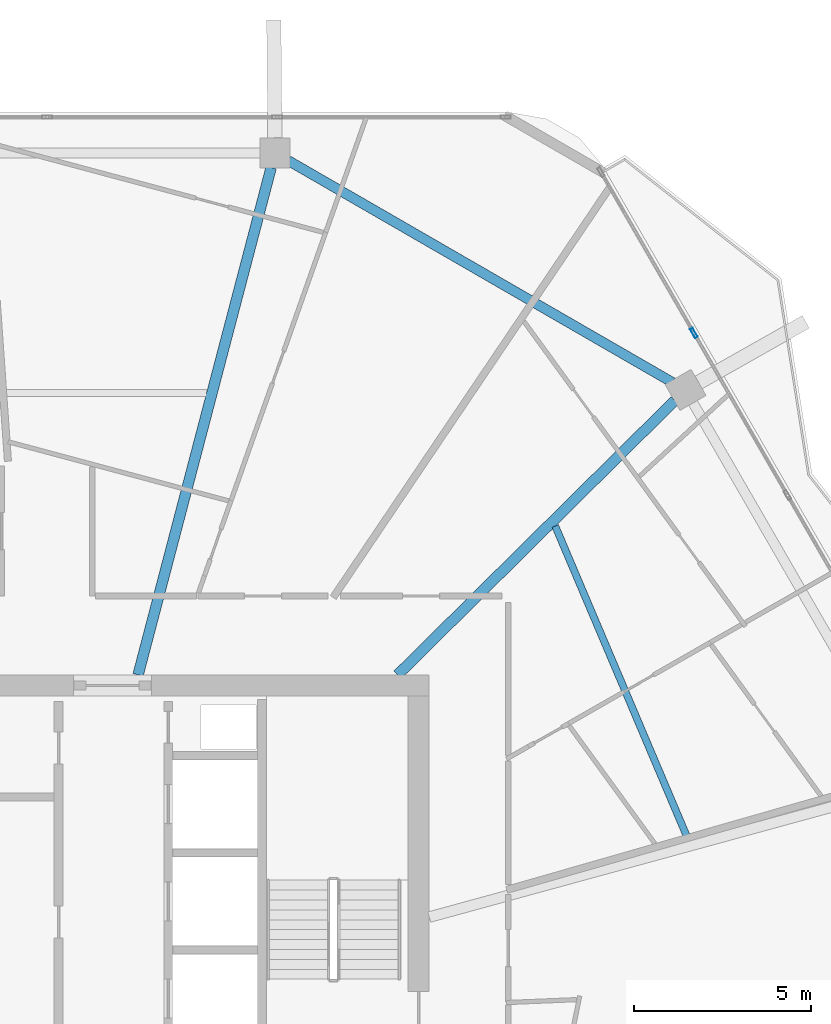
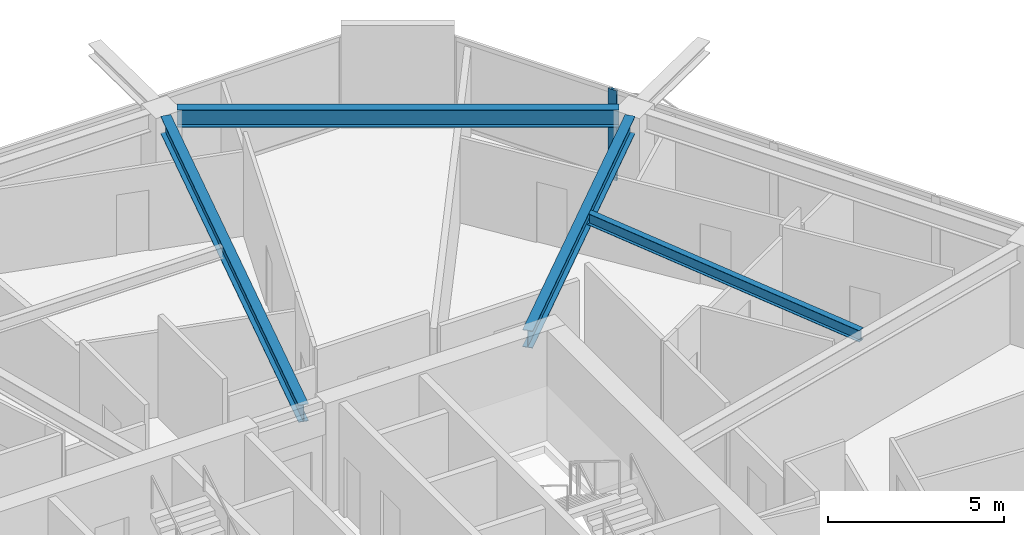
# One storey, part 14 of 26: 4 beams, 1 member, 1 element without a shape of its own.
"""IFC4 building model written with IfcOpenShell, lengths in metres."""

import ifcopenshell
import ifcopenshell.guid

model = None  # the IFC model being written
_history = None  # IfcOwnerHistory: only IFC2X3 demands one
_inside = {}  # id of a spatial element -> (the spatial element, [elements in it])
_under = {}  # id of a project, library or spatial element -> (it, [spatial elements below it])
_declared = {}  # id of a project -> (the project, [libraries it declares])
_typed = {}  # id of a type object -> (the type object, [elements of that type])
_made_of = {}  # id of a material, layer set ... -> (it, [elements and type objects made of it])


def new_model(schema):
    """Start an empty IFC model of exactly this schema.

    Asked for "IFC4X3", IfcOpenShell would pick the latest addendum, in which some entities
    have other attributes; the version numbers below select the first issue.
    IFC2X3 requires an IfcOwnerHistory on every rooted entity: one is made here for all.
    """
    global model, _history
    if schema == "IFC4X3":
        model = ifcopenshell.file(schema_version=(4, 3, 0, 0))
    else:
        model = ifcopenshell.file(schema=schema)
    _inside.clear()
    _under.clear()
    _declared.clear()
    _typed.clear()
    _made_of.clear()
    _history = None
    if model.schema == "IFC2X3":
        org = make("IfcOrganization", Name="unknown")
        user = make(
            "IfcPersonAndOrganization",
            ThePerson=make("IfcPerson", FamilyName="unknown"),
            TheOrganization=org,
        )
        app = make(
            "IfcApplication",
            ApplicationDeveloper=org,
            Version="unknown",
            ApplicationFullName="unknown",
            ApplicationIdentifier="unknown",
        )
        _history = make(
            "IfcOwnerHistory",
            OwningUser=user,
            OwningApplication=app,
            ChangeAction="ADDED",
            CreationDate=0,
        )
    return model


def make(cls, **values):
    """One entity of the class cls with the attributes given. An attribute that is None is left unset."""
    return model.create_entity(
        cls, **{name: value for name, value in values.items() if value is not None}
    )


def rooted(cls, **values):
    """An entity with a GlobalId (a new one), such as an element, a storey or a relation."""
    return make(cls, GlobalId=ifcopenshell.guid.new(), OwnerHistory=_history, **values)


def si_unit(unit_type, name, prefix=None):
    """IfcSIUnit, for example si_unit("LENGTHUNIT", "METRE", prefix="MILLI")."""
    return make("IfcSIUnit", UnitType=unit_type, Prefix=prefix, Name=name)


def assignment(units):
    """IfcUnitAssignment: the units of a project."""
    return None if units is None else make("IfcUnitAssignment", Units=units)


def point(xyz):
    """IfcCartesianPoint."""
    return None if xyz is None else make("IfcCartesianPoint", Coordinates=xyz)


def direction(xyz):
    """IfcDirection."""
    return None if xyz is None else make("IfcDirection", DirectionRatios=xyz)


def frame(location, z_axis=None, x_axis=None):
    """IfcAxis2Placement3D, a coordinate frame: its origin and axes. An axis left out is left unset."""
    return make(
        "IfcAxis2Placement3D",
        Location=point(location),
        Axis=direction(z_axis),
        RefDirection=direction(x_axis),
    )


def frame_2d(location, x_axis=None):
    """IfcAxis2Placement2D, a coordinate frame in the plane: its origin and x axis."""
    return make(
        "IfcAxis2Placement2D", Location=point(location), RefDirection=direction(x_axis)
    )


def origin():
    """The frame at (0, 0, 0) with its axes left unset."""
    return frame((0.0, 0.0, 0.0))


def origin_2d():
    """The frame at (0, 0) in the plane with its x axis left unset."""
    return frame_2d((0.0, 0.0))


def place(relative_to, where):
    """IfcLocalPlacement: puts the frame where relative to a parent placement (None: the world)."""
    return make(
        "IfcLocalPlacement", PlacementRelTo=relative_to, RelativePlacement=where
    )


def context(
    kind, dimensions, precision=None, world=None, true_north=None, identifier=None
):
    """IfcGeometricRepresentationContext, for example the 3D "Model" context."""
    return make(
        "IfcGeometricRepresentationContext",
        ContextIdentifier=identifier,
        ContextType=kind,
        CoordinateSpaceDimension=dimensions,
        Precision=precision,
        WorldCoordinateSystem=world,
        TrueNorth=true_north,
    )


def subcontext(parent, identifier, kind, view, scale=None):
    """IfcGeometricRepresentationSubContext, for example "Body" below "Model"."""
    return make(
        "IfcGeometricRepresentationSubContext",
        ContextIdentifier=identifier,
        ContextType=kind,
        ParentContext=parent,
        TargetScale=scale,
        TargetView=view,
    )


def project(units=None, contexts=None):
    """IfcProject with its units and contexts."""
    return rooted(
        "IfcProject",
        Name="project",
        RepresentationContexts=contexts,
        UnitsInContext=assignment(units),
    )


def spatial(cls, under=None, at=None, **own):
    """A site, building, storey or space (cls), placed at a placement, below another one or the project."""
    s = rooted(cls, ObjectPlacement=at, **own)
    if under is not None:
        _under.setdefault(under.id(), (under, []))[1].append(s)
    return s


def profile(cls, at=None, kind="AREA", **sizes):
    """A parametric profile (cls). Its sizes go by their IFC names, for example OverallWidth=200.0."""
    return make(cls, ProfileType=kind, Position=at, **sizes)


def hollow_rectangle(**sizes):
    """IfcRectangleHollowProfileDef."""
    return profile("IfcRectangleHollowProfileDef", **sizes)


def i_section(**sizes):
    """IfcIShapeProfileDef."""
    return profile("IfcIShapeProfileDef", **sizes)


def extrude(swept, where, along, depth):
    """IfcExtrudedAreaSolid: the profile swept, set in the frame where, extruded along a direction by depth."""
    return make(
        "IfcExtrudedAreaSolid",
        SweptArea=swept,
        Position=where,
        ExtrudedDirection=direction(along),
        Depth=depth,
    )


def shape(context_of_items, identifier, shape_type, items):
    """IfcShapeRepresentation: the items that make up one representation, for example the "Body"."""
    return make(
        "IfcShapeRepresentation",
        ContextOfItems=context_of_items,
        RepresentationIdentifier=identifier,
        RepresentationType=shape_type,
        Items=items,
    )


def material(Name=None, Category=None):
    """IfcMaterial."""
    return make("IfcMaterial", Name=Name, Category=Category)


def material_profile(
    of_material, cross_section, Name=None, Category=None, Priority=None
):
    """IfcMaterialProfile: a cross section and its material."""
    return make(
        "IfcMaterialProfile",
        Name=Name,
        Material=of_material,
        Profile=cross_section,
        Priority=Priority,
        Category=Category,
    )


def profile_set(profiles, Name=None, composite=None):
    """IfcMaterialProfileSet."""
    return make(
        "IfcMaterialProfileSet",
        Name=Name,
        MaterialProfiles=profiles,
        CompositeProfile=composite,
    )


def made_of(thing, what):
    """Note that an element or type object is made of a material, layer set ...; save() writes the relation."""
    if what is not None:
        _made_of.setdefault(what.id(), (what, []))[1].append(thing)
    return thing


def type_object(cls, material=None, **own):
    """A type object (cls), such as IfcWallType, which elements share."""
    return made_of(rooted(cls, **own), material)


def element(
    cls,
    number,
    at=None,
    inside=None,
    cuts=None,
    type_object=None,
    material=None,
    context=None,
    identifier="Body",
    shape_type=None,
    held_by="IfcProductDefinitionShape",
    body=None,
    shapes=None,
    **own,
):
    """One element of the class cls, such as IfcWall. Its Tag is "e" and its number.

    at: its placement. inside: the storey or other place that contains it. cuts: it is an
    opening in that element (IfcRelVoidsElement). A single representation is given by context,
    identifier, shape_type and body (its items); several are given by shapes. held_by: the class
    of the entity that holds the representations. save() writes the other relations.
    """
    e = rooted(cls, Tag="e%d" % number, ObjectPlacement=at, **own)
    if body is not None:
        shapes = [shape(context, identifier, shape_type, body)]
    if shapes is not None:
        e.Representation = make(held_by, Representations=shapes)
    if inside is not None:
        _inside.setdefault(inside.id(), (inside, []))[1].append(e)
    if cuts is not None:
        rooted(
            "IfcRelVoidsElement", RelatingBuildingElement=cuts, RelatedOpeningElement=e
        )
    if type_object is not None:
        _typed.setdefault(type_object.id(), (type_object, []))[1].append(e)
    return made_of(e, material)


def aggregate(whole, parts):
    """IfcRelAggregates: a whole, such as a stair, and the parts it consists of."""
    return rooted("IfcRelAggregates", RelatingObject=whole, RelatedObjects=parts)


def save(model, path):
    """Write the relations noted so far, then the file.

    IfcRelAggregates (storeys below a building ...), IfcRelContainedInSpatialStructure (elements
    in a storey), IfcRelDefinesByType, IfcRelAssociatesMaterial and IfcRelDeclares: one each for
    every whole, place, type object, material and project.
    """
    for whole, parts in _under.values():
        aggregate(whole, parts)
    for where, things in _inside.values():
        rooted(
            "IfcRelContainedInSpatialStructure",
            RelatedElements=things,
            RelatingStructure=where,
        )
    for kind, things in _typed.values():
        rooted("IfcRelDefinesByType", RelatedObjects=things, RelatingType=kind)
    for what, things in _made_of.values():
        rooted("IfcRelAssociatesMaterial", RelatedObjects=things, RelatingMaterial=what)
    for by, libraries in _declared.values():
        rooted("IfcRelDeclares", RelatingContext=by, RelatedDefinitions=libraries)
    model.write(path)


model = new_model("IFC4")

# Units and contexts
model_context = context("Model", 3, precision=1e-05, world=origin(), true_north=direction((0.0, 1.0)))
body_context = subcontext(model_context, "Body", "Model", "MODEL_VIEW")
ifc_project = project(units=[si_unit("LENGTHUNIT", "METRE"), si_unit("AREAUNIT", "SQUARE_METRE"), si_unit("VOLUMEUNIT", "CUBIC_METRE"), si_unit("PLANEANGLEUNIT", "RADIAN"), si_unit("MASSUNIT", "GRAM", prefix="KILO")], contexts=[model_context])

# Site, building, storey
site_placement = place(None, origin())
site = spatial("IfcSite", under=ifc_project, at=site_placement, CompositionType="ELEMENT")
building_placement = place(site_placement, origin())
building = spatial("IfcBuilding", under=site, at=building_placement, Name="Zuhravey Tower", CompositionType="ELEMENT")
storey_placement = place(building_placement, frame((0.0, 0.0, 295.800048828125)))
storey = spatial("IfcBuildingStorey", under=building, at=storey_placement, Name="L75", CompositionType="ELEMENT", Elevation=295.800048828125)

# Curtain wall, member
ifc_material_1 = material(Name="Thermally broken anodised aluminium", Category="aluminium")
curtain_wall_type = type_object("IfcCurtainWallType", Name="Zone 3-4 High-Rise Curtain Wall CW4", PredefinedType="NOTDEFINED", material=ifc_material_1)
curtain_wall_placement = place(storey_placement, origin())
curtain_wall = element("IfcCurtainWall", 1, at=curtain_wall_placement, inside=storey, type_object=curtain_wall_type, Name="L75 CW4 CW-L75-F1-1", PredefinedType="NOTDEFINED")
ifc_material_2 = material(Name="Anodised aluminium", Category="aluminium")
ifc_material_profile_1 = material_profile(ifc_material_2, hollow_rectangle(XDim=0.090087890625, YDim=0.284912109375, WallThickness=0.0048828125, at=origin_2d()), Name="ALU-RHS-90x285x5")
ifc_profile_set_1 = profile_set([ifc_material_profile_1], Name="Anodised aluminium")
member_type = type_object("IfcMemberType", Name="Curtain-Wall Mullion 90x180", PredefinedType="MULLION", material=ifc_profile_set_1)
member_placement = place(storey_placement, frame((54.280517578125, 51.46435546875, 0.0), z_axis=(0.0, 0.0, 1.0), x_axis=(0.866024519015, 0.500001532463, 0.0)))
member = element("IfcMember", 2, at=member_placement, type_object=member_type, Name="CW4 mullion 2", PredefinedType="MULLION", context=body_context, shape_type="SweptSolid", body=[
    extrude(hollow_rectangle(XDim=0.090087890625, YDim=0.284912109375, WallThickness=0.0048828125, at=origin_2d()), origin(), (0.0, 0.0, 1.0), 3.1220703125),
])
aggregate(curtain_wall, [member])

# Beams
ifc_material_3 = material(Name="Steel SM355", Category="steel")
ifc_material_profile_2 = material_profile(ifc_material_3, i_section(OverallWidth=0.280029296875, OverallDepth=0.6201171875, WebThickness=0.011962890625, FlangeThickness=0.02001953125, at=origin_2d()), Name="H-620x280x12x20")
ifc_profile_set_2 = profile_set([ifc_material_profile_2], Name="Steel SM355")
beam_type_1 = type_object("IfcBeamType", Name="Perimeter Ring Beam H620x280", PredefinedType="BEAM", material=ifc_profile_set_2)
beam_1_placement = place(storey_placement, frame((53.6728515625, 50.068603515625, 3.239990234375), z_axis=(-0.866018312875, 0.500012281615, 0.0), x_axis=(-0.500012281615, -0.866018312875, 0.0)))
element("IfcBeam", 3, at=beam_1_placement, inside=storey, type_object=beam_type_1, Name="L75 PB3 BM-L75-PB-02", PredefinedType="BEAM", context=body_context, shape_type="SweptSolid", body=[
    extrude(i_section(OverallWidth=0.280029296875, OverallDepth=0.6201171875, WebThickness=0.011962890625, FlangeThickness=0.02001953125, at=origin_2d()), origin(), (0.0, 0.0, 1.0), 12.541748046875),
])
ifc_material_profile_3 = material_profile(ifc_material_3, i_section(OverallWidth=0.300048828125, OverallDepth=0.60009765625, WebThickness=0.011962890625, FlangeThickness=0.02001953125, at=origin_2d()), Name="H-600x300x12x20")
ifc_profile_set_3 = profile_set([ifc_material_profile_3], Name="Steel SM355")
beam_type_2 = type_object("IfcBeamType", Name="Radial Primary Girder H600x300", PredefinedType="BEAM", material=ifc_profile_set_3)
beam_2_placement = place(storey_placement, frame((45.90673828125, 41.802978515625, 3.25), z_axis=(0.710808169267, 0.70338591577, 0.0), x_axis=(-0.70338591577, 0.710808169267, 0.0)))
element("IfcBeam", 4, at=beam_2_placement, inside=storey, type_object=beam_type_2, Name="L75 RG3 BM-L75-RAD-02", PredefinedType="BEAM", context=body_context, shape_type="SweptSolid", body=[
    extrude(i_section(OverallWidth=0.300048828125, OverallDepth=0.60009765625, WebThickness=0.011962890625, FlangeThickness=0.02001953125, at=origin_2d()), origin(), (0.0, 0.0, 1.0), 11.019287109375),
])
beam_3_placement = place(storey_placement, frame((38.571533203125, 41.802978515625, 3.25), z_axis=(0.25373188956, 0.967274587809, 0.0), x_axis=(-0.967274587809, 0.25373188956, 0.0)))
element("IfcBeam", 5, at=beam_3_placement, inside=storey, type_object=beam_type_2, Name="L75 RG3 BM-L75-RAD-03", PredefinedType="BEAM", context=body_context, shape_type="SweptSolid", body=[
    extrude(i_section(OverallWidth=0.300048828125, OverallDepth=0.60009765625, WebThickness=0.011962890625, FlangeThickness=0.02001953125, at=origin_2d()), origin(), (0.0, 0.0, 1.0), 14.82177734375),
])
ifc_material_profile_4 = material_profile(ifc_material_3, i_section(OverallWidth=0.199951171875, OverallDepth=0.39990234375, WebThickness=0.008056640625, FlangeThickness=0.012939453125, at=origin_2d()), Name="H-400x200x8x13")
ifc_profile_set_4 = profile_set([ifc_material_profile_4], Name="Steel SM355")
beam_type_3 = type_object("IfcBeamType", Name="Secondary Floor Joist H400x200", PredefinedType="JOIST", material=ifc_profile_set_4)
beam_4_placement = place(storey_placement, frame((54.130859375, 37.118896484375, 3.349853515625), z_axis=(-0.390413493754, 0.920639616731, 0.0), x_axis=(-0.920639616731, -0.390413493754, 0.0)))
element("IfcBeam", 6, at=beam_4_placement, inside=storey, type_object=beam_type_3, Name="L75 SJ2 BM-L75-SJ-01-1", PredefinedType="JOIST", context=body_context, shape_type="SweptSolid", body=[
    extrude(i_section(OverallWidth=0.199951171875, OverallDepth=0.39990234375, WebThickness=0.008056640625, FlangeThickness=0.012939453125, at=origin_2d()), origin(), (0.0, 0.0, 1.0), 9.656494140625),
])

save(model, "model.ifc")
